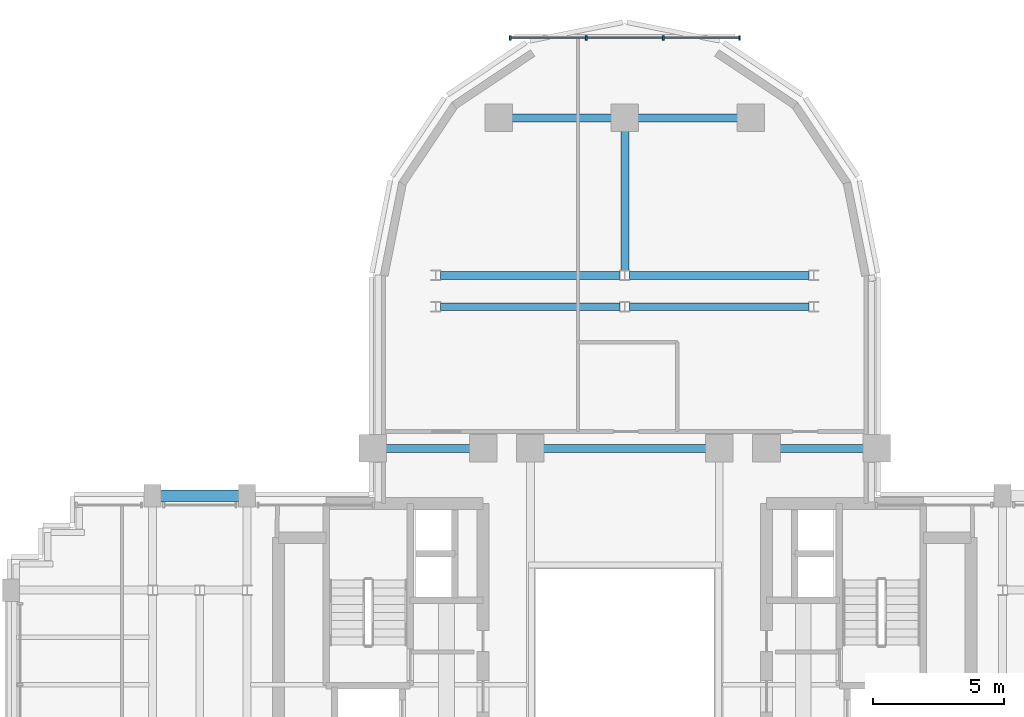
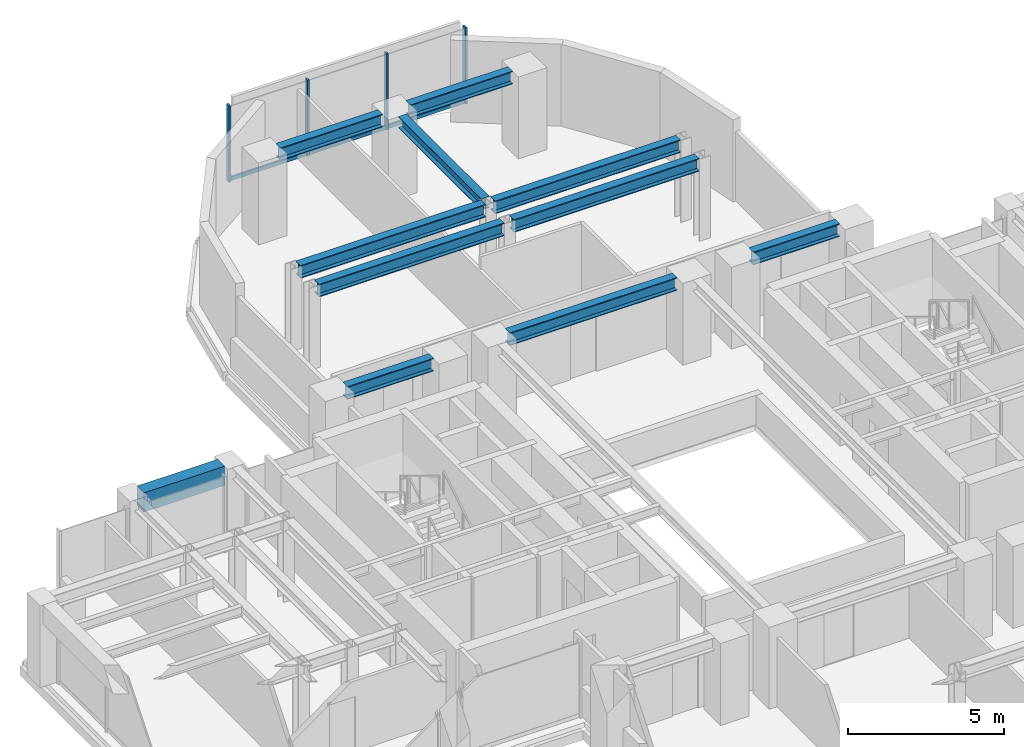
# One storey, part 6 of 13: 11 beams, 7 members, 1 element without a shape of its own.
"""IFC4 building model written with IfcOpenShell, lengths in metres."""

import ifcopenshell
import ifcopenshell.guid

model = None  # the IFC model being written
_history = None  # IfcOwnerHistory: only IFC2X3 demands one
_inside = {}  # id of a spatial element -> (the spatial element, [elements in it])
_under = {}  # id of a project, library or spatial element -> (it, [spatial elements below it])
_declared = {}  # id of a project -> (the project, [libraries it declares])
_typed = {}  # id of a type object -> (the type object, [elements of that type])
_made_of = {}  # id of a material, layer set ... -> (it, [elements and type objects made of it])


def new_model(schema):
    """Start an empty IFC model of exactly this schema.

    Asked for "IFC4X3", IfcOpenShell would pick the latest addendum, in which some entities
    have other attributes; the version numbers below select the first issue.
    IFC2X3 requires an IfcOwnerHistory on every rooted entity: one is made here for all.
    """
    global model, _history
    if schema == "IFC4X3":
        model = ifcopenshell.file(schema_version=(4, 3, 0, 0))
    else:
        model = ifcopenshell.file(schema=schema)
    _inside.clear()
    _under.clear()
    _declared.clear()
    _typed.clear()
    _made_of.clear()
    _history = None
    if model.schema == "IFC2X3":
        org = make("IfcOrganization", Name="unknown")
        user = make(
            "IfcPersonAndOrganization",
            ThePerson=make("IfcPerson", FamilyName="unknown"),
            TheOrganization=org,
        )
        app = make(
            "IfcApplication",
            ApplicationDeveloper=org,
            Version="unknown",
            ApplicationFullName="unknown",
            ApplicationIdentifier="unknown",
        )
        _history = make(
            "IfcOwnerHistory",
            OwningUser=user,
            OwningApplication=app,
            ChangeAction="ADDED",
            CreationDate=0,
        )
    return model


def make(cls, **values):
    """One entity of the class cls with the attributes given. An attribute that is None is left unset."""
    return model.create_entity(
        cls, **{name: value for name, value in values.items() if value is not None}
    )


def rooted(cls, **values):
    """An entity with a GlobalId (a new one), such as an element, a storey or a relation."""
    return make(cls, GlobalId=ifcopenshell.guid.new(), OwnerHistory=_history, **values)


def si_unit(unit_type, name, prefix=None):
    """IfcSIUnit, for example si_unit("LENGTHUNIT", "METRE", prefix="MILLI")."""
    return make("IfcSIUnit", UnitType=unit_type, Prefix=prefix, Name=name)


def assignment(units):
    """IfcUnitAssignment: the units of a project."""
    return None if units is None else make("IfcUnitAssignment", Units=units)


def point(xyz):
    """IfcCartesianPoint."""
    return None if xyz is None else make("IfcCartesianPoint", Coordinates=xyz)


def direction(xyz):
    """IfcDirection."""
    return None if xyz is None else make("IfcDirection", DirectionRatios=xyz)


def frame(location, z_axis=None, x_axis=None):
    """IfcAxis2Placement3D, a coordinate frame: its origin and axes. An axis left out is left unset."""
    return make(
        "IfcAxis2Placement3D",
        Location=point(location),
        Axis=direction(z_axis),
        RefDirection=direction(x_axis),
    )


def frame_2d(location, x_axis=None):
    """IfcAxis2Placement2D, a coordinate frame in the plane: its origin and x axis."""
    return make(
        "IfcAxis2Placement2D", Location=point(location), RefDirection=direction(x_axis)
    )


def origin():
    """The frame at (0, 0, 0) with its axes left unset."""
    return frame((0.0, 0.0, 0.0))


def origin_2d():
    """The frame at (0, 0) in the plane with its x axis left unset."""
    return frame_2d((0.0, 0.0))


def place(relative_to, where):
    """IfcLocalPlacement: puts the frame where relative to a parent placement (None: the world)."""
    return make(
        "IfcLocalPlacement", PlacementRelTo=relative_to, RelativePlacement=where
    )


def context(
    kind, dimensions, precision=None, world=None, true_north=None, identifier=None
):
    """IfcGeometricRepresentationContext, for example the 3D "Model" context."""
    return make(
        "IfcGeometricRepresentationContext",
        ContextIdentifier=identifier,
        ContextType=kind,
        CoordinateSpaceDimension=dimensions,
        Precision=precision,
        WorldCoordinateSystem=world,
        TrueNorth=true_north,
    )


def subcontext(parent, identifier, kind, view, scale=None):
    """IfcGeometricRepresentationSubContext, for example "Body" below "Model"."""
    return make(
        "IfcGeometricRepresentationSubContext",
        ContextIdentifier=identifier,
        ContextType=kind,
        ParentContext=parent,
        TargetScale=scale,
        TargetView=view,
    )


def project(units=None, contexts=None):
    """IfcProject with its units and contexts."""
    return rooted(
        "IfcProject",
        Name="project",
        RepresentationContexts=contexts,
        UnitsInContext=assignment(units),
    )


def spatial(cls, under=None, at=None, **own):
    """A site, building, storey or space (cls), placed at a placement, below another one or the project."""
    s = rooted(cls, ObjectPlacement=at, **own)
    if under is not None:
        _under.setdefault(under.id(), (under, []))[1].append(s)
    return s


def profile(cls, at=None, kind="AREA", **sizes):
    """A parametric profile (cls). Its sizes go by their IFC names, for example OverallWidth=200.0."""
    return make(cls, ProfileType=kind, Position=at, **sizes)


def rectangle(**sizes):
    """IfcRectangleProfileDef."""
    return profile("IfcRectangleProfileDef", **sizes)


def i_section(**sizes):
    """IfcIShapeProfileDef."""
    return profile("IfcIShapeProfileDef", **sizes)


def extrude(swept, where, along, depth):
    """IfcExtrudedAreaSolid: the profile swept, set in the frame where, extruded along a direction by depth."""
    return make(
        "IfcExtrudedAreaSolid",
        SweptArea=swept,
        Position=where,
        ExtrudedDirection=direction(along),
        Depth=depth,
    )


def shape(context_of_items, identifier, shape_type, items):
    """IfcShapeRepresentation: the items that make up one representation, for example the "Body"."""
    return make(
        "IfcShapeRepresentation",
        ContextOfItems=context_of_items,
        RepresentationIdentifier=identifier,
        RepresentationType=shape_type,
        Items=items,
    )


def source(mapping_origin, context_of_items, identifier, shape_type, items):
    """IfcRepresentationMap: a shape defined once, which mapped items show again and again."""
    return make(
        "IfcRepresentationMap",
        MappingOrigin=mapping_origin,
        MappedRepresentation=shape(context_of_items, identifier, shape_type, items),
    )


def transform(
    local_origin,
    x_axis=None,
    y_axis=None,
    z_axis=None,
    scale=None,
    scale2=None,
    scale3=None,
    uniform=True,
):
    """IfcCartesianTransformationOperator3D, or its non-uniform kind. x_axis, y_axis, z_axis: its Axis1, 2, 3."""
    if uniform:
        return make(
            "IfcCartesianTransformationOperator3D",
            Axis1=direction(x_axis),
            Axis2=direction(y_axis),
            LocalOrigin=point(local_origin),
            Scale=scale,
            Axis3=direction(z_axis),
        )
    return make(
        "IfcCartesianTransformationOperator3DnonUniform",
        Axis1=direction(x_axis),
        Axis2=direction(y_axis),
        LocalOrigin=point(local_origin),
        Scale=scale,
        Axis3=direction(z_axis),
        Scale2=scale2,
        Scale3=scale3,
    )


def mapped(mapping_source, mapping_target):
    """IfcMappedItem: shows the shape of a source again, moved by a transform."""
    return make(
        "IfcMappedItem", MappingSource=mapping_source, MappingTarget=mapping_target
    )


def material(Name=None, Category=None):
    """IfcMaterial."""
    return make("IfcMaterial", Name=Name, Category=Category)


def material_profile(
    of_material, cross_section, Name=None, Category=None, Priority=None
):
    """IfcMaterialProfile: a cross section and its material."""
    return make(
        "IfcMaterialProfile",
        Name=Name,
        Material=of_material,
        Profile=cross_section,
        Priority=Priority,
        Category=Category,
    )


def profile_set(profiles, Name=None, composite=None):
    """IfcMaterialProfileSet."""
    return make(
        "IfcMaterialProfileSet",
        Name=Name,
        MaterialProfiles=profiles,
        CompositeProfile=composite,
    )


def made_of(thing, what):
    """Note that an element or type object is made of a material, layer set ...; save() writes the relation."""
    if what is not None:
        _made_of.setdefault(what.id(), (what, []))[1].append(thing)
    return thing


def type_object(cls, material=None, **own):
    """A type object (cls), such as IfcWallType, which elements share."""
    return made_of(rooted(cls, **own), material)


def element(
    cls,
    number,
    at=None,
    inside=None,
    cuts=None,
    type_object=None,
    material=None,
    context=None,
    identifier="Body",
    shape_type=None,
    held_by="IfcProductDefinitionShape",
    body=None,
    shapes=None,
    **own,
):
    """One element of the class cls, such as IfcWall. Its Tag is "e" and its number.

    at: its placement. inside: the storey or other place that contains it. cuts: it is an
    opening in that element (IfcRelVoidsElement). A single representation is given by context,
    identifier, shape_type and body (its items); several are given by shapes. held_by: the class
    of the entity that holds the representations. save() writes the other relations.
    """
    e = rooted(cls, Tag="e%d" % number, ObjectPlacement=at, **own)
    if body is not None:
        shapes = [shape(context, identifier, shape_type, body)]
    if shapes is not None:
        e.Representation = make(held_by, Representations=shapes)
    if inside is not None:
        _inside.setdefault(inside.id(), (inside, []))[1].append(e)
    if cuts is not None:
        rooted(
            "IfcRelVoidsElement", RelatingBuildingElement=cuts, RelatedOpeningElement=e
        )
    if type_object is not None:
        _typed.setdefault(type_object.id(), (type_object, []))[1].append(e)
    return made_of(e, material)


def aggregate(whole, parts):
    """IfcRelAggregates: a whole, such as a stair, and the parts it consists of."""
    return rooted("IfcRelAggregates", RelatingObject=whole, RelatedObjects=parts)


def save(model, path):
    """Write the relations noted so far, then the file.

    IfcRelAggregates (storeys below a building ...), IfcRelContainedInSpatialStructure (elements
    in a storey), IfcRelDefinesByType, IfcRelAssociatesMaterial and IfcRelDeclares: one each for
    every whole, place, type object, material and project.
    """
    for whole, parts in _under.values():
        aggregate(whole, parts)
    for where, things in _inside.values():
        rooted(
            "IfcRelContainedInSpatialStructure",
            RelatedElements=things,
            RelatingStructure=where,
        )
    for kind, things in _typed.values():
        rooted("IfcRelDefinesByType", RelatedObjects=things, RelatingType=kind)
    for what, things in _made_of.values():
        rooted("IfcRelAssociatesMaterial", RelatedObjects=things, RelatingMaterial=what)
    for by, libraries in _declared.values():
        rooted("IfcRelDeclares", RelatingContext=by, RelatedDefinitions=libraries)
    model.write(path)


model = new_model("IFC4")

# Units and contexts
model_context = context("Model", 3, precision=1e-05, world=origin(), true_north=direction((0.0, 1.0)))
body_context = subcontext(model_context, "Body", "Model", "MODEL_VIEW")
ifc_project = project(units=[si_unit("LENGTHUNIT", "METRE"), si_unit("AREAUNIT", "SQUARE_METRE"), si_unit("VOLUMEUNIT", "CUBIC_METRE"), si_unit("PLANEANGLEUNIT", "RADIAN"), si_unit("MASSUNIT", "GRAM", prefix="KILO")], contexts=[model_context])

# Site, building, storey
site_placement = place(None, origin())
site = spatial("IfcSite", under=ifc_project, at=site_placement, CompositionType="ELEMENT")
building_placement = place(site_placement, origin())
building = spatial("IfcBuilding", under=site, at=building_placement, Name="Keilestroom Media Tower", CompositionType="ELEMENT")
storey_placement = place(building_placement, frame((0.0, 0.0, 144.800048828125)))
storey = spatial("IfcBuildingStorey", under=building, at=storey_placement, Name="L39", CompositionType="ELEMENT", Elevation=144.800048828125)

# Beams
ifc_material_1 = material(Name="Steel S355", Category="steel")
ifc_material_profile_1 = material_profile(ifc_material_1, i_section(OverallWidth=0.300048828125, OverallDepth=0.5, WebThickness=0.012451171875, FlangeThickness=0.028076171875, at=origin_2d()), Name="HEB 500")
ifc_profile_set_1 = profile_set([ifc_material_profile_1], Name="Steel S355")
beam_type_1 = type_object("IfcBeamType", Name="Primary-Structural-Girder-HEB-500", PredefinedType="BEAM", material=ifc_profile_set_1)
shared_shape_1 = source(origin(), body_context, "Body", "SweptSolid", [
    extrude(i_section(OverallWidth=0.300048828125, OverallDepth=0.5, WebThickness=0.012451171875, FlangeThickness=0.028076171875, at=origin_2d()), origin(), (0.0, 0.0, 1.0), 3.7900390625),
])
for number, where, z_axis, x_axis, name in (
    (1, (-4.294921875, 21.60009765625, 2.949951171875), (1.0, 0.0, 0.0), (0.0, 1.0, 0.0), "L39 Beam BG-6 BM-L39-EW-037"),
    (2, (0.5048828125, 21.60009765625, 2.949951171875), (1.0, 0.0, 0.0), (0.0, 1.0, 0.0), "L39 Beam BG-6 BM-L39-EW-038"),
):
    element("IfcBeam", number, at=place(storey_placement, frame(where, z_axis=z_axis, x_axis=x_axis)), inside=storey, type_object=beam_type_1, Name=name, PredefinedType="BEAM", context=body_context, shape_type="MappedRepresentation", body=[
        mapped(shared_shape_1, transform((0.0, 0.0, 0.0), x_axis=(1.0, 0.0, 0.0), y_axis=(0.0, 1.0, 0.0), z_axis=(0.0, 0.0, 1.0), scale=1.0)),
    ])
shared_shape_2 = source(origin(), body_context, "Body", "SweptSolid", [
    extrude(i_section(OverallWidth=0.300048828125, OverallDepth=0.5, WebThickness=0.012451171875, FlangeThickness=0.028076171875, at=origin_2d()), origin(), (0.0, 0.0, 1.0), 6.839111328125),
])
for number, where, z_axis, x_axis, name in (
    (3, (-7.01953125, 14.39990234375, 2.949951171875), (1.0, 0.0, 0.0), (0.0, 1.0, 0.0), "L39 Beam BG-6 BM-L39-EW-033"),
    (4, (0.180419921875, 14.39990234375, 2.949951171875), (1.0, 0.0, 0.0), (0.0, 1.0, 0.0), "L39 Beam BG-6 BM-L39-EW-034"),
    (5, (-7.01953125, 15.60009765625, 2.949951171875), (1.0, 0.0, 0.0), (0.0, 1.0, 0.0), "L39 Beam BG-6 BM-L39-EW-035"),
    (6, (0.180419921875, 15.60009765625, 2.949951171875), (1.0, 0.0, 0.0), (0.0, 1.0, 0.0), "L39 Beam BG-6 BM-L39-EW-036"),
):
    element("IfcBeam", number, at=place(storey_placement, frame(where, z_axis=z_axis, x_axis=x_axis)), inside=storey, type_object=beam_type_1, Name=name, PredefinedType="BEAM", context=body_context, shape_type="MappedRepresentation", body=[
        mapped(shared_shape_2, transform((0.0, 0.0, 0.0), x_axis=(1.0, 0.0, 0.0), y_axis=(0.0, 1.0, 0.0), z_axis=(0.0, 0.0, 1.0), scale=1.0)),
    ])
shared_shape_3 = source(origin(), body_context, "Body", "SweptSolid", [
    extrude(i_section(OverallWidth=0.300048828125, OverallDepth=0.5, WebThickness=0.012451171875, FlangeThickness=0.028076171875, at=origin_2d()), origin(), (0.0, 0.0, 1.0), 3.18994140625),
])
for number, where, z_axis, x_axis, name in (
    (7, (-9.094970703125, 9.0, 2.949951171875), (1.0, 0.0, 0.0), (0.0, 1.0, 0.0), "L39 Beam BG-6 BM-L39-EW-028"),
    (8, (5.905029296875, 9.0, 2.949951171875), (1.0, 0.0, 0.0), (0.0, 1.0, 0.0), "L39 Beam BG-6 BM-L39-EW-032"),
):
    element("IfcBeam", number, at=place(storey_placement, frame(where, z_axis=z_axis, x_axis=x_axis)), inside=storey, type_object=beam_type_1, Name=name, PredefinedType="BEAM", context=body_context, shape_type="MappedRepresentation", body=[
        mapped(shared_shape_3, transform((0.0, 0.0, 0.0), x_axis=(1.0, 0.0, 0.0), y_axis=(0.0, 1.0, 0.0), z_axis=(0.0, 0.0, 1.0), scale=1.0)),
    ])
shared_shape_4 = source(origin(), body_context, "Body", "SweptSolid", [
    extrude(i_section(OverallWidth=0.300048828125, OverallDepth=0.5, WebThickness=0.012451171875, FlangeThickness=0.028076171875, at=origin_2d()), origin(), (0.0, 0.0, 1.0), 6.18994140625),
])
beam_1_placement = place(storey_placement, frame((-3.094970703125, 9.0, 2.949951171875), z_axis=(1.0, 0.0, 0.0), x_axis=(0.0, 1.0, 0.0)))
element("IfcBeam", 9, at=beam_1_placement, inside=storey, type_object=beam_type_1, Name="L39 Beam BG-6 BM-L39-EW-030", PredefinedType="BEAM", context=body_context, shape_type="MappedRepresentation", body=[
    mapped(shared_shape_4, transform((0.0, 0.0, 0.0), x_axis=(1.0, 0.0, 0.0), y_axis=(0.0, 1.0, 0.0), z_axis=(0.0, 0.0, 1.0), scale=1.0)),
])
ifc_material_2 = material(Name="Precast concrete C40/50", Category="concrete")
ifc_material_profile_2 = material_profile(ifc_material_2, rectangle(XDim=0.449951171875, YDim=0.75, at=origin_2d()), Name="PC 450x750")
ifc_profile_set_2 = profile_set([ifc_material_profile_2], Name="Precast concrete C40/50")
beam_type_2 = type_object("IfcBeamType", Name="Perimeter-Spandrel-Beam-PC-450x750", PredefinedType="SPANDREL", material=ifc_profile_set_2)
shared_shape_5 = source(origin(), body_context, "Body", "SweptSolid", [
    extrude(rectangle(XDim=0.449951171875, YDim=0.75, at=origin_2d()), origin(), (0.0, 0.0, 1.0), 2.989990234375),
])
beam_2_placement = place(storey_placement, frame((-17.695068359375, 7.199951171875, 2.824951171875), z_axis=(1.0, 0.0, 0.0), x_axis=(0.0, 1.0, 0.0)))
element("IfcBeam", 10, at=beam_2_placement, inside=storey, type_object=beam_type_2, Name="L39 Beam SPB-1 BM-L39-EW-026", PredefinedType="SPANDREL", context=body_context, shape_type="MappedRepresentation", body=[
    mapped(shared_shape_5, transform((0.0, 0.0, 0.0), x_axis=(1.0, 0.0, 0.0), y_axis=(0.0, 1.0, 0.0), z_axis=(0.0, 0.0, 1.0), scale=1.0)),
])
ifc_material_profile_3 = material_profile(ifc_material_1, i_section(OverallWidth=0.300048828125, OverallDepth=0.43994140625, WebThickness=0.011474609375, FlangeThickness=0.02099609375, at=origin_2d()), Name="HEA 450")
ifc_profile_set_3 = profile_set([ifc_material_profile_3], Name="Steel S355")
beam_type_3 = type_object("IfcBeamType", Name="Primary-Structural-Girder-HEA-450", PredefinedType="BEAM", material=ifc_profile_set_3)
shared_shape_6 = source(origin(), body_context, "Body", "SweptSolid", [
    extrude(i_section(OverallWidth=0.300048828125, OverallDepth=0.43994140625, WebThickness=0.011474609375, FlangeThickness=0.02099609375, at=origin_2d()), origin(), (0.0, 0.0, 1.0), 5.3154296875),
])
beam_3_placement = place(storey_placement, frame((0.0, 15.779541015625, 2.97998046875), z_axis=(0.0, 1.0, 0.0), x_axis=(-1.0, 0.0, 0.0)))
element("IfcBeam", 11, at=beam_3_placement, inside=storey, type_object=beam_type_3, Name="L39 Beam BG-11 BM-L39-NS-055", PredefinedType="BEAM", context=body_context, shape_type="MappedRepresentation", body=[
    mapped(shared_shape_6, transform((0.0, 0.0, 0.0), x_axis=(1.0, 0.0, 0.0), y_axis=(0.0, 1.0, 0.0), z_axis=(0.0, 0.0, 1.0), scale=1.0)),
])

# Curtain wall, members
ifc_material_3 = material(Name="Anodised Aluminium Alloy", Category="aluminium")
curtain_wall_type = type_object("IfcCurtainWallType", Name="Unitised-Curtain-Wall-CW-6", PredefinedType="NOTDEFINED", material=ifc_material_3)
curtain_wall_placement = place(storey_placement, origin())
curtain_wall = element("IfcCurtainWall", 12, at=curtain_wall_placement, inside=storey, type_object=curtain_wall_type, Name="L39 Curtain Wall CW-6 CW-L39-LN-1", PredefinedType="NOTDEFINED")
ifc_material_profile_4 = material_profile(ifc_material_3, rectangle(XDim=0.06494140625, YDim=0.179931640625, at=origin_2d()), Name="ALU MULLION 65x180")
ifc_profile_set_4 = profile_set([ifc_material_profile_4], Name="Anodised Aluminium Alloy")
member_type_1 = type_object("IfcMemberType", Name="Curtain-Wall-Mullion-CW-6", PredefinedType="MULLION", material=ifc_profile_set_4)
shared_shape_7 = source(origin(), body_context, "Body", "SweptSolid", [
    extrude(rectangle(XDim=0.06494140625, YDim=0.179931640625, at=origin_2d()), origin(), (0.0, 0.0, 1.0), 2.97998046875),
])
member_1_placement = place(storey_placement, frame((-4.367431640625, 24.64990234375, 0.0), z_axis=(0.0, 0.0, 1.0), x_axis=(1.0, 0.0, 0.0)))
member_1 = element("IfcMember", 13, at=member_1_placement, type_object=member_type_1, Name="CW-6 Mullion 00", PredefinedType="MULLION", context=body_context, shape_type="MappedRepresentation", body=[
    mapped(shared_shape_7, transform((0.0, 0.0, 0.0), x_axis=(1.0, 0.0, 0.0), y_axis=(0.0, 1.0, 0.0), z_axis=(0.0, 0.0, 1.0), scale=1.0)),
])
member_2_placement = place(storey_placement, frame((-1.466796875, 24.64990234375, 0.0), z_axis=(0.0, 0.0, 1.0), x_axis=(1.0, 0.0, 0.0)))
member_2 = element("IfcMember", 14, at=member_2_placement, type_object=member_type_1, Name="CW-6 Mullion 01", PredefinedType="MULLION", context=body_context, shape_type="MappedRepresentation", body=[
    mapped(shared_shape_7, transform((0.0, 0.0, 0.0), x_axis=(1.0, 0.0, 0.0), y_axis=(0.0, 1.0, 0.0), z_axis=(0.0, 0.0, 1.0), scale=1.0)),
])
member_3_placement = place(storey_placement, frame((1.466796875, 24.64990234375, 0.0), z_axis=(0.0, 0.0, 1.0), x_axis=(1.0, 0.0, 0.0)))
member_3 = element("IfcMember", 15, at=member_3_placement, type_object=member_type_1, Name="CW-6 Mullion 02", PredefinedType="MULLION", context=body_context, shape_type="MappedRepresentation", body=[
    mapped(shared_shape_7, transform((0.0, 0.0, 0.0), x_axis=(1.0, 0.0, 0.0), y_axis=(0.0, 1.0, 0.0), z_axis=(0.0, 0.0, 1.0), scale=1.0)),
])
member_4_placement = place(storey_placement, frame((4.367431640625, 24.64990234375, 0.0), z_axis=(0.0, 0.0, 1.0), x_axis=(1.0, 0.0, 0.0)))
member_4 = element("IfcMember", 16, at=member_4_placement, type_object=member_type_1, Name="CW-6 Mullion 03", PredefinedType="MULLION", context=body_context, shape_type="MappedRepresentation", body=[
    mapped(shared_shape_7, transform((0.0, 0.0, 0.0), x_axis=(1.0, 0.0, 0.0), y_axis=(0.0, 1.0, 0.0), z_axis=(0.0, 0.0, 1.0), scale=1.0)),
])
ifc_material_profile_5 = material_profile(ifc_material_3, rectangle(XDim=0.06494140625, YDim=0.14990234375, at=origin_2d()), Name="ALU TRANSOM 65x150")
ifc_profile_set_5 = profile_set([ifc_material_profile_5], Name="Anodised Aluminium Alloy")
member_type_2 = type_object("IfcMemberType", Name="Curtain-Wall-Transom-CW-6", PredefinedType="USERDEFINED", material=ifc_profile_set_5)
shared_shape_8 = source(origin(), body_context, "Body", "SweptSolid", [
    extrude(rectangle(XDim=0.06494140625, YDim=0.14990234375, at=origin_2d()), origin(), (0.0, 0.0, 1.0), 2.839599609375),
])
member_5_placement = place(storey_placement, frame((-4.3369140625, 24.64990234375, 0.074951171875), z_axis=(1.0, 0.0, 0.0), x_axis=(0.0, 1.0, 0.0)))
member_5 = element("IfcMember", 17, at=member_5_placement, type_object=member_type_2, Name="CW-6 Transom 00.1", ObjectType="TRANSOM", PredefinedType="USERDEFINED", context=body_context, shape_type="MappedRepresentation", body=[
    mapped(shared_shape_8, transform((0.0, 0.0, 0.0), x_axis=(1.0, 0.0, 0.0), y_axis=(0.0, 1.0, 0.0), z_axis=(0.0, 0.0, 1.0), scale=1.0)),
])
member_6_placement = place(storey_placement, frame((1.497314453125, 24.64990234375, 0.074951171875), z_axis=(1.0, 0.0, 0.0), x_axis=(0.0, 1.0, 0.0)))
member_6 = element("IfcMember", 18, at=member_6_placement, type_object=member_type_2, Name="CW-6 Transom 02.1", ObjectType="TRANSOM", PredefinedType="USERDEFINED", context=body_context, shape_type="MappedRepresentation", body=[
    mapped(shared_shape_8, transform((0.0, 0.0, 0.0), x_axis=(1.0, 0.0, 0.0), y_axis=(0.0, 1.0, 0.0), z_axis=(0.0, 0.0, 1.0), scale=1.0)),
])
shared_shape_9 = source(origin(), body_context, "Body", "SweptSolid", [
    extrude(rectangle(XDim=0.06494140625, YDim=0.14990234375, at=origin_2d()), origin(), (0.0, 0.0, 1.0), 2.87255859375),
])
member_7_placement = place(storey_placement, frame((-1.436279296875, 24.64990234375, 0.074951171875), z_axis=(1.0, 0.0, 0.0), x_axis=(0.0, 1.0, 0.0)))
member_7 = element("IfcMember", 19, at=member_7_placement, type_object=member_type_2, Name="CW-6 Transom 01.1", ObjectType="TRANSOM", PredefinedType="USERDEFINED", context=body_context, shape_type="MappedRepresentation", body=[
    mapped(shared_shape_9, transform((0.0, 0.0, 0.0), x_axis=(1.0, 0.0, 0.0), y_axis=(0.0, 1.0, 0.0), z_axis=(0.0, 0.0, 1.0), scale=1.0)),
])
aggregate(curtain_wall, [member_1, member_2, member_3, member_4, member_5, member_7, member_6])

save(model, "model.ifc")
